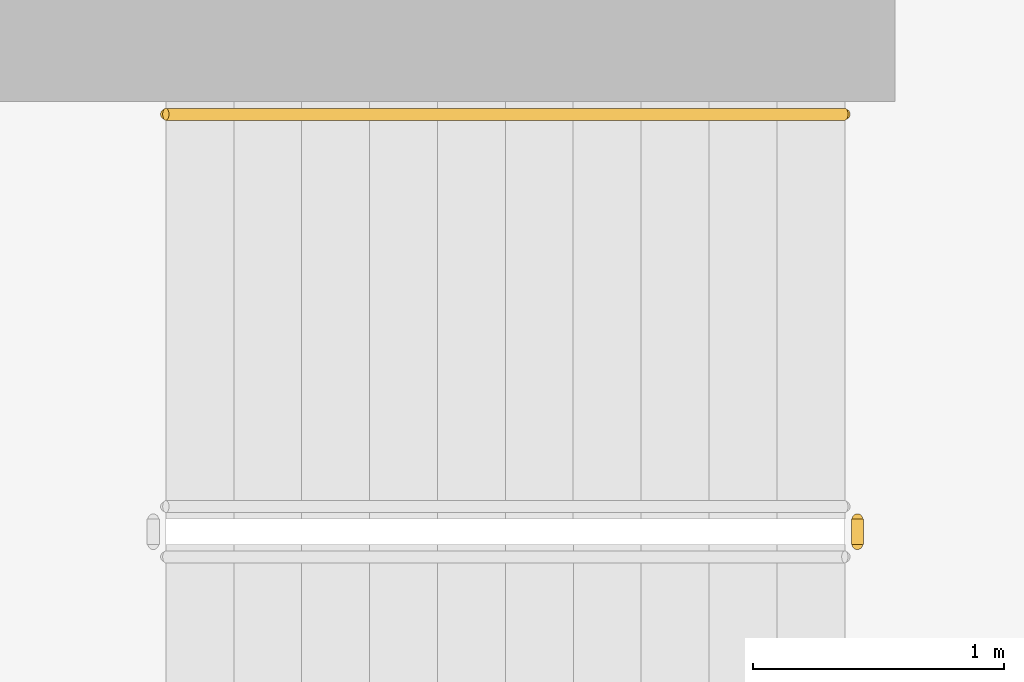
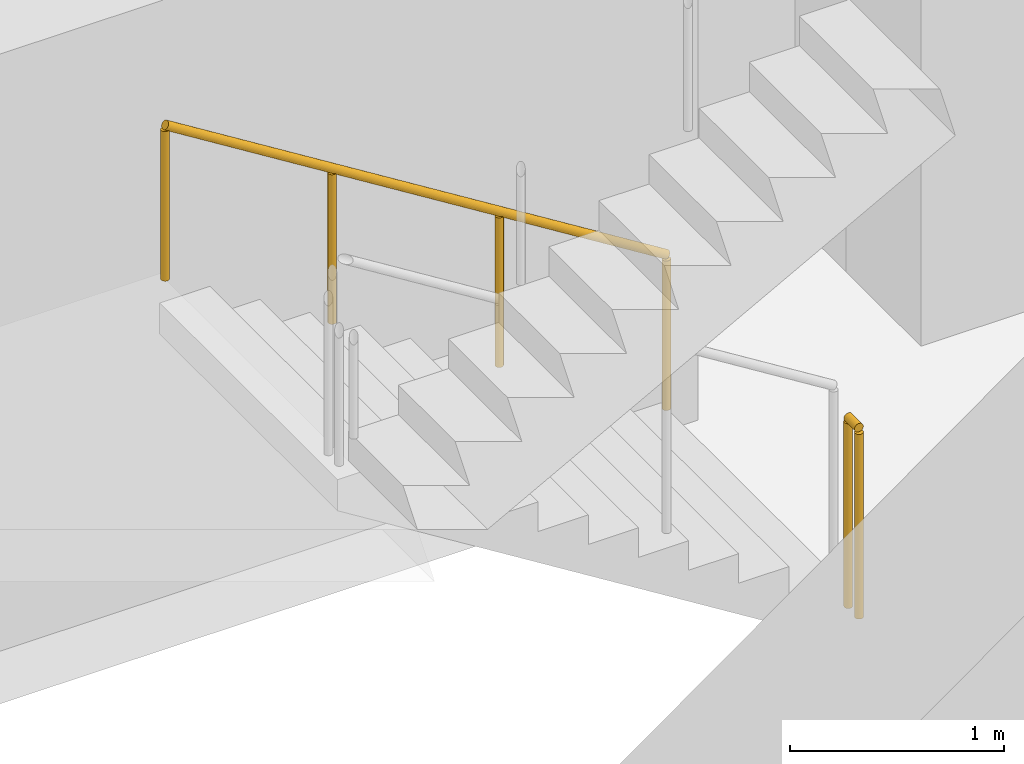
# One storey, part 15 of 17: 2 railings.
"""IFC4 building model written with IfcOpenShell, lengths in metres."""

from ifc_helpers import new_model, si_unit, direction, frame, origin, origin_2d, place, context, subcontext, project, spatial, circle, extrude, material, type_object, element, save


model = new_model("IFC4")

# Units and contexts
model_context = context("Model", 3, precision=1e-05, world=origin(), true_north=direction((0.0, 1.0)))
body_context = subcontext(model_context, "Body", "Model", "MODEL_VIEW")
ifc_project = project(units=[si_unit("LENGTHUNIT", "METRE"), si_unit("AREAUNIT", "SQUARE_METRE"), si_unit("VOLUMEUNIT", "CUBIC_METRE"), si_unit("PLANEANGLEUNIT", "RADIAN"), si_unit("MASSUNIT", "GRAM", prefix="KILO")], contexts=[model_context])

# Site, building, storey
site_placement = place(None, origin())
site = spatial("IfcSite", under=ifc_project, at=site_placement, CompositionType="ELEMENT")
building_placement = place(site_placement, origin())
building = spatial("IfcBuilding", under=site, at=building_placement, Name="Vermilion Reach Broadcast Tower", CompositionType="ELEMENT")
storey_placement = place(building_placement, frame((0.0, 0.0, 39.699951171875)))
storey = spatial("IfcBuildingStorey", under=building, at=storey_placement, Name="L06", CompositionType="ELEMENT", Elevation=39.699951171875)

# Railings
ifc_material_1 = material(Name="Stainless steel", Category="steel")
railing_type_1 = type_object("IfcRailingType", Name="Stair guard 1100", PredefinedType="GUARDRAIL", material=ifc_material_1)
railing_1_placement = place(storey_placement, frame((-0.949951171875, 5.639892578125, 0.0)))
element("IfcRailing", 1, at=railing_1_placement, inside=storey, type_object=railing_type_1, Name="L06 ST2 stair guard 4", PredefinedType="GUARDRAIL", context=body_context, shape_type="SweptSolid", body=[
    extrude(circle(Radius=0.02392578125, at=origin_2d()), frame((0.0, 0.0, 1.076171875), z_axis=(0.0, -1.0, 0.0), x_axis=(1.0, 0.0, 0.0)), (0.0, 0.0, 1.0), 0.099853515625),
    extrude(circle(Radius=0.02099609375, at=origin_2d()), origin(), (0.0, 0.0, 1.0), 1.052001953125),
    extrude(circle(Radius=0.02099609375, at=origin_2d()), frame((0.0, -0.099853515625, 0.0)), (0.0, 0.0, 1.0), 1.052001953125),
])
ifc_material_2 = material(Name="Stainless steel", Category="steel")
railing_type_2 = type_object("IfcRailingType", Name="Stair handrail", PredefinedType="HANDRAIL", material=ifc_material_2)
railing_2_placement = place(storey_placement, frame((-1.0, 7.25, 0.168212890625)))
element("IfcRailing", 2, at=railing_2_placement, inside=storey, type_object=railing_type_2, Name="L06 ST2 stair handrail 1", PredefinedType="HANDRAIL", context=body_context, shape_type="SweptSolid", body=[
    extrude(circle(Radius=0.02392578125, at=origin_2d()), frame((0.0, 0.0, 0.8759765625), z_axis=(-0.848786430784, 0.0, 0.528735846068), x_axis=(0.0, -1.0, 0.0)), (0.0, 0.0, 1.0), 3.180908203125),
    extrude(circle(Radius=0.02099609375, at=origin_2d()), origin(), (0.0, 0.0, 1.0), 0.851806640625),
    extrude(circle(Radius=0.02099609375, at=origin_2d()), frame((-0.89990234375, 0.0, 0.560546875)), (0.0, 0.0, 1.0), 0.851806640625),
    extrude(circle(Radius=0.02099609375, at=origin_2d()), frame((-1.800048828125, 0.0, 1.121337890625)), (0.0, 0.0, 1.0), 0.851806640625),
    extrude(circle(Radius=0.02099609375, at=origin_2d()), frame((-2.699951171875, 0.0, 1.681884765625)), (0.0, 0.0, 1.0), 0.851806640625),
])

save(model, "model.ifc")
